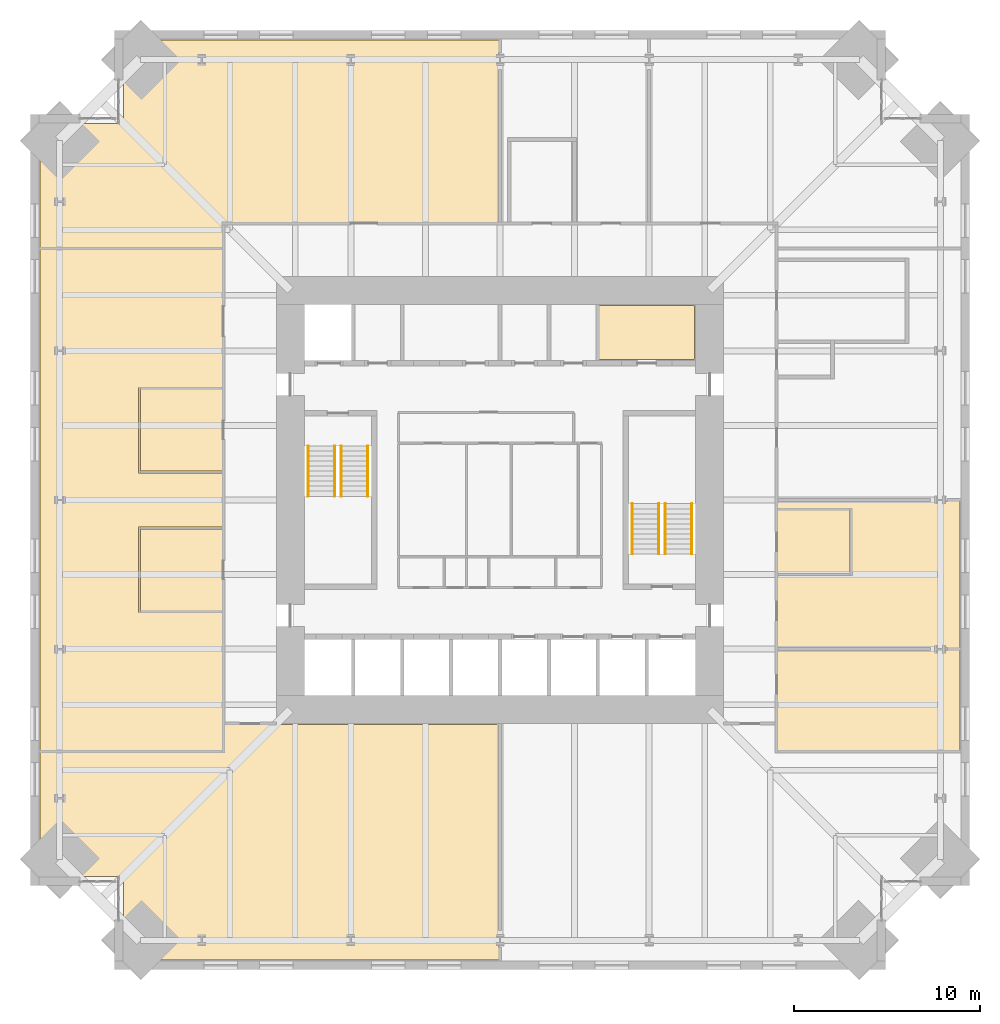
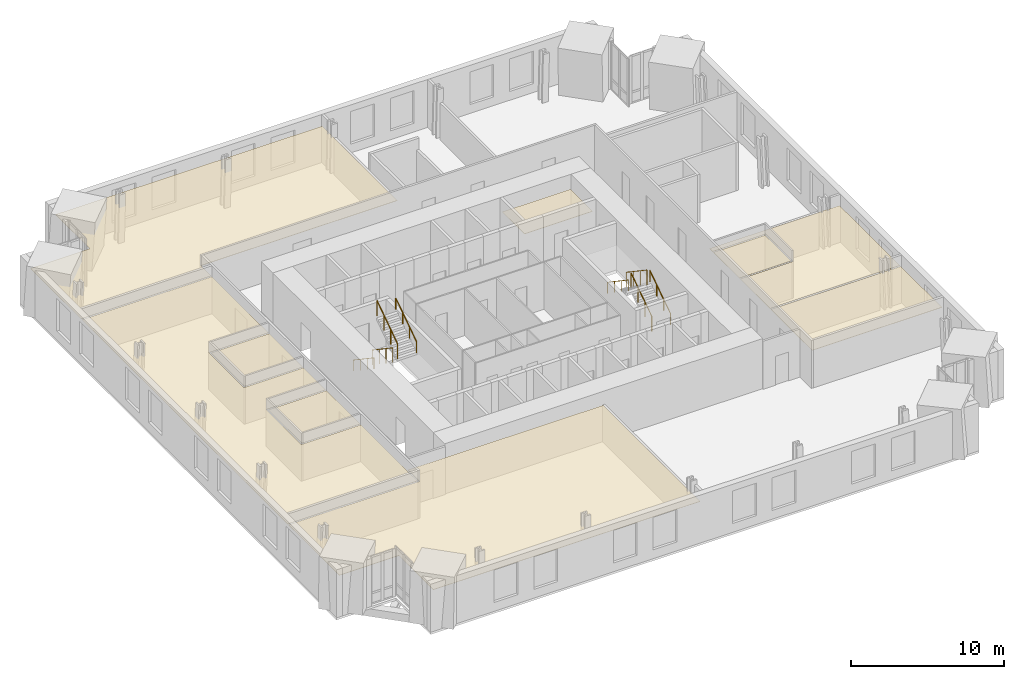
# One storey, part 15 of 15: 9 coverings, 8 railings.
"""IFC4 building model written with IfcOpenShell, lengths in metres."""

import ifcopenshell
import ifcopenshell.guid

model = None  # the IFC model being written
_history = None  # IfcOwnerHistory: only IFC2X3 demands one
_inside = {}  # id of a spatial element -> (the spatial element, [elements in it])
_under = {}  # id of a project, library or spatial element -> (it, [spatial elements below it])
_declared = {}  # id of a project -> (the project, [libraries it declares])
_typed = {}  # id of a type object -> (the type object, [elements of that type])
_made_of = {}  # id of a material, layer set ... -> (it, [elements and type objects made of it])


def new_model(schema):
    """Start an empty IFC model of exactly this schema.

    Asked for "IFC4X3", IfcOpenShell would pick the latest addendum, in which some entities
    have other attributes; the version numbers below select the first issue.
    IFC2X3 requires an IfcOwnerHistory on every rooted entity: one is made here for all.
    """
    global model, _history
    if schema == "IFC4X3":
        model = ifcopenshell.file(schema_version=(4, 3, 0, 0))
    else:
        model = ifcopenshell.file(schema=schema)
    _inside.clear()
    _under.clear()
    _declared.clear()
    _typed.clear()
    _made_of.clear()
    _history = None
    if model.schema == "IFC2X3":
        org = make("IfcOrganization", Name="unknown")
        user = make(
            "IfcPersonAndOrganization",
            ThePerson=make("IfcPerson", FamilyName="unknown"),
            TheOrganization=org,
        )
        app = make(
            "IfcApplication",
            ApplicationDeveloper=org,
            Version="unknown",
            ApplicationFullName="unknown",
            ApplicationIdentifier="unknown",
        )
        _history = make(
            "IfcOwnerHistory",
            OwningUser=user,
            OwningApplication=app,
            ChangeAction="ADDED",
            CreationDate=0,
        )
    return model


def make(cls, **values):
    """One entity of the class cls with the attributes given. An attribute that is None is left unset."""
    return model.create_entity(
        cls, **{name: value for name, value in values.items() if value is not None}
    )


def rooted(cls, **values):
    """An entity with a GlobalId (a new one), such as an element, a storey or a relation."""
    return make(cls, GlobalId=ifcopenshell.guid.new(), OwnerHistory=_history, **values)


def si_unit(unit_type, name, prefix=None):
    """IfcSIUnit, for example si_unit("LENGTHUNIT", "METRE", prefix="MILLI")."""
    return make("IfcSIUnit", UnitType=unit_type, Prefix=prefix, Name=name)


def assignment(units):
    """IfcUnitAssignment: the units of a project."""
    return None if units is None else make("IfcUnitAssignment", Units=units)


def point(xyz):
    """IfcCartesianPoint."""
    return None if xyz is None else make("IfcCartesianPoint", Coordinates=xyz)


def direction(xyz):
    """IfcDirection."""
    return None if xyz is None else make("IfcDirection", DirectionRatios=xyz)


def frame(location, z_axis=None, x_axis=None):
    """IfcAxis2Placement3D, a coordinate frame: its origin and axes. An axis left out is left unset."""
    return make(
        "IfcAxis2Placement3D",
        Location=point(location),
        Axis=direction(z_axis),
        RefDirection=direction(x_axis),
    )


def frame_2d(location, x_axis=None):
    """IfcAxis2Placement2D, a coordinate frame in the plane: its origin and x axis."""
    return make(
        "IfcAxis2Placement2D", Location=point(location), RefDirection=direction(x_axis)
    )


def origin():
    """The frame at (0, 0, 0) with its axes left unset."""
    return frame((0.0, 0.0, 0.0))


def origin_2d():
    """The frame at (0, 0) in the plane with its x axis left unset."""
    return frame_2d((0.0, 0.0))


def place(relative_to, where):
    """IfcLocalPlacement: puts the frame where relative to a parent placement (None: the world)."""
    return make(
        "IfcLocalPlacement", PlacementRelTo=relative_to, RelativePlacement=where
    )


def context(
    kind, dimensions, precision=None, world=None, true_north=None, identifier=None
):
    """IfcGeometricRepresentationContext, for example the 3D "Model" context."""
    return make(
        "IfcGeometricRepresentationContext",
        ContextIdentifier=identifier,
        ContextType=kind,
        CoordinateSpaceDimension=dimensions,
        Precision=precision,
        WorldCoordinateSystem=world,
        TrueNorth=true_north,
    )


def subcontext(parent, identifier, kind, view, scale=None):
    """IfcGeometricRepresentationSubContext, for example "Body" below "Model"."""
    return make(
        "IfcGeometricRepresentationSubContext",
        ContextIdentifier=identifier,
        ContextType=kind,
        ParentContext=parent,
        TargetScale=scale,
        TargetView=view,
    )


def project(units=None, contexts=None):
    """IfcProject with its units and contexts."""
    return rooted(
        "IfcProject",
        Name="project",
        RepresentationContexts=contexts,
        UnitsInContext=assignment(units),
    )


def spatial(cls, under=None, at=None, **own):
    """A site, building, storey or space (cls), placed at a placement, below another one or the project."""
    s = rooted(cls, ObjectPlacement=at, **own)
    if under is not None:
        _under.setdefault(under.id(), (under, []))[1].append(s)
    return s


def polyline(points):
    """IfcPolyline through the points."""
    return make("IfcPolyline", Points=[point(p) for p in points])


def profile(cls, at=None, kind="AREA", **sizes):
    """A parametric profile (cls). Its sizes go by their IFC names, for example OverallWidth=200.0."""
    return make(cls, ProfileType=kind, Position=at, **sizes)


def circle(**sizes):
    """IfcCircleProfileDef."""
    return profile("IfcCircleProfileDef", **sizes)


def outline(outer, holes=None, kind="AREA"):
    """IfcArbitraryClosedProfileDef: a profile drawn as a closed curve; with holes, ...WithVoids."""
    if holes is None:
        return make("IfcArbitraryClosedProfileDef", ProfileType=kind, OuterCurve=outer)
    return make(
        "IfcArbitraryProfileDefWithVoids",
        ProfileType=kind,
        OuterCurve=outer,
        InnerCurves=holes,
    )


def extrude(swept, where, along, depth):
    """IfcExtrudedAreaSolid: the profile swept, set in the frame where, extruded along a direction by depth."""
    return make(
        "IfcExtrudedAreaSolid",
        SweptArea=swept,
        Position=where,
        ExtrudedDirection=direction(along),
        Depth=depth,
    )


def shape(context_of_items, identifier, shape_type, items):
    """IfcShapeRepresentation: the items that make up one representation, for example the "Body"."""
    return make(
        "IfcShapeRepresentation",
        ContextOfItems=context_of_items,
        RepresentationIdentifier=identifier,
        RepresentationType=shape_type,
        Items=items,
    )


def material(Name=None, Category=None):
    """IfcMaterial."""
    return make("IfcMaterial", Name=Name, Category=Category)


def layer(
    of_material, thickness, ventilated=None, Name=None, Category=None, Priority=None
):
    """IfcMaterialLayer: one layer of a wall or slab, of a material (None: an air gap)."""
    return make(
        "IfcMaterialLayer",
        Material=of_material,
        LayerThickness=thickness,
        IsVentilated=ventilated,
        Name=Name,
        Category=Category,
        Priority=Priority,
    )


def layer_set(layers, Name=None):
    """IfcMaterialLayerSet."""
    return make("IfcMaterialLayerSet", MaterialLayers=layers, LayerSetName=Name)


def made_of(thing, what):
    """Note that an element or type object is made of a material, layer set ...; save() writes the relation."""
    if what is not None:
        _made_of.setdefault(what.id(), (what, []))[1].append(thing)
    return thing


def type_object(cls, material=None, **own):
    """A type object (cls), such as IfcWallType, which elements share."""
    return made_of(rooted(cls, **own), material)


def element(
    cls,
    number,
    at=None,
    inside=None,
    cuts=None,
    type_object=None,
    material=None,
    context=None,
    identifier="Body",
    shape_type=None,
    held_by="IfcProductDefinitionShape",
    body=None,
    shapes=None,
    **own,
):
    """One element of the class cls, such as IfcWall. Its Tag is "e" and its number.

    at: its placement. inside: the storey or other place that contains it. cuts: it is an
    opening in that element (IfcRelVoidsElement). A single representation is given by context,
    identifier, shape_type and body (its items); several are given by shapes. held_by: the class
    of the entity that holds the representations. save() writes the other relations.
    """
    e = rooted(cls, Tag="e%d" % number, ObjectPlacement=at, **own)
    if body is not None:
        shapes = [shape(context, identifier, shape_type, body)]
    if shapes is not None:
        e.Representation = make(held_by, Representations=shapes)
    if inside is not None:
        _inside.setdefault(inside.id(), (inside, []))[1].append(e)
    if cuts is not None:
        rooted(
            "IfcRelVoidsElement", RelatingBuildingElement=cuts, RelatedOpeningElement=e
        )
    if type_object is not None:
        _typed.setdefault(type_object.id(), (type_object, []))[1].append(e)
    return made_of(e, material)


def aggregate(whole, parts):
    """IfcRelAggregates: a whole, such as a stair, and the parts it consists of."""
    return rooted("IfcRelAggregates", RelatingObject=whole, RelatedObjects=parts)


def save(model, path):
    """Write the relations noted so far, then the file.

    IfcRelAggregates (storeys below a building ...), IfcRelContainedInSpatialStructure (elements
    in a storey), IfcRelDefinesByType, IfcRelAssociatesMaterial and IfcRelDeclares: one each for
    every whole, place, type object, material and project.
    """
    for whole, parts in _under.values():
        aggregate(whole, parts)
    for where, things in _inside.values():
        rooted(
            "IfcRelContainedInSpatialStructure",
            RelatedElements=things,
            RelatingStructure=where,
        )
    for kind, things in _typed.values():
        rooted("IfcRelDefinesByType", RelatedObjects=things, RelatingType=kind)
    for what, things in _made_of.values():
        rooted("IfcRelAssociatesMaterial", RelatedObjects=things, RelatingMaterial=what)
    for by, libraries in _declared.values():
        rooted("IfcRelDeclares", RelatingContext=by, RelatedDefinitions=libraries)
    model.write(path)


model = new_model("IFC4")

# Units and contexts
model_context = context("Model", 3, precision=1e-05, world=origin(), true_north=direction((0.0, 1.0)))
body_context = subcontext(model_context, "Body", "Model", "MODEL_VIEW")
ifc_project = project(units=[si_unit("LENGTHUNIT", "METRE"), si_unit("AREAUNIT", "SQUARE_METRE"), si_unit("VOLUMEUNIT", "CUBIC_METRE"), si_unit("PLANEANGLEUNIT", "RADIAN"), si_unit("MASSUNIT", "GRAM", prefix="KILO")], contexts=[model_context])

# Site, building, storey
site_placement = place(None, origin())
site = spatial("IfcSite", under=ifc_project, at=site_placement, CompositionType="ELEMENT")
building_placement = place(site_placement, origin())
building = spatial("IfcBuilding", under=site, at=building_placement, Name="Peilmerk Tower", CompositionType="ELEMENT")
storey_placement = place(building_placement, frame((0.0, 0.0, 179.800048828125)))
storey = spatial("IfcBuildingStorey", under=building, at=storey_placement, Name="L38", CompositionType="ELEMENT", Elevation=179.800048828125)

# Coverings
ifc_material_1 = material(Name="Mineral fibre ceiling tiles", Category="mineral")
ifc_layer = layer(ifc_material_1, 0.02490234375)
ifc_layer_set = layer_set([ifc_layer], Name="Mineral fibre ceiling tiles")
covering_type = type_object("IfcCoveringType", Name="CL1 25 suspended ceiling", PredefinedType="CEILING", material=ifc_layer_set)
covering_1_placement = place(storey_placement, frame((0.0, 0.0, 2.905029296875)))
element("IfcCovering", 1, at=covering_1_placement, inside=storey, type_object=covering_type, Name="Suspended ceiling Fitness room", PredefinedType="CEILING", context=body_context, shape_type="SweptSolid", body=[
    extrude(outline(polyline([(-24.699951171875, 20.199951171875), (-24.699951171875, 13.550048828125), (-14.89990234375, 13.550048828125), (-14.89990234375, 14.89990234375), (-0.050048828125, 14.89990234375), (-0.050048828125, 24.699951171875), (-20.199951171875, 24.699951171875), (-20.199951171875, 20.199951171875), (-24.699951171875, 20.199951171875)])), origin(), (0.0, 0.0, 1.0), 0.02490234375),
])
covering_2_placement = place(storey_placement, frame((0.0, 0.0, 2.905029296875)))
element("IfcCovering", 2, at=covering_2_placement, inside=storey, type_object=covering_type, Name="Suspended ceiling Library", PredefinedType="CEILING", context=body_context, shape_type="SweptSolid", body=[
    extrude(outline(polyline([(-20.199951171875, -24.699951171875), (-0.050048828125, -24.699951171875), (-0.050048828125, -12.050048828125), (-14.800048828125, -12.050048828125), (-14.800048828125, -13.550048828125), (-24.699951171875, -13.550048828125), (-24.699951171875, -20.199951171875), (-20.199951171875, -20.199951171875), (-20.199951171875, -24.699951171875)])), origin(), (0.0, 0.0, 1.0), 0.02490234375),
])
covering_3_placement = place(storey_placement, frame((0.0, 0.0, 2.905029296875)))
element("IfcCovering", 3, at=covering_3_placement, inside=storey, type_object=covering_type, Name="Suspended ceiling Wellness room", PredefinedType="CEILING", context=body_context, shape_type="SweptSolid", body=[
    extrude(outline(polyline([(24.699951171875, -13.449951171875), (24.699951171875, -8.050048828125), (14.89990234375, -8.050048828125), (14.89990234375, -13.449951171875), (24.699951171875, -13.449951171875)])), origin(), (0.0, 0.0, 1.0), 0.02490234375),
])
covering_4_placement = place(storey_placement, frame((0.0, 0.0, 2.905029296875)))
element("IfcCovering", 4, at=covering_4_placement, inside=storey, type_object=covering_type, Name="Suspended ceiling Quiet room", PredefinedType="CEILING", context=body_context, shape_type="SweptSolid", body=[
    extrude(outline(polyline([(14.89990234375, -7.949951171875), (24.699951171875, -7.949951171875), (24.699951171875, -0.050048828125), (14.89990234375, -0.050048828125), (14.89990234375, -0.449951171875), (18.89990234375, -0.449951171875), (18.89990234375, -4.050048828125), (14.89990234375, -4.050048828125), (14.89990234375, -7.949951171875)])), origin(), (0.0, 0.0, 1.0), 0.02490234375),
])
covering_5_placement = place(storey_placement, frame((0.0, 0.0, 2.905029296875)))
element("IfcCovering", 5, at=covering_5_placement, inside=storey, type_object=covering_type, Name="Suspended ceiling Pantry", PredefinedType="CEILING", context=body_context, shape_type="SweptSolid", body=[
    extrude(outline(polyline([(18.800048828125, -3.949951171875), (18.800048828125, -0.550048828125), (14.89990234375, -0.550048828125), (14.89990234375, -3.949951171875), (18.800048828125, -3.949951171875)])), origin(), (0.0, 0.0, 1.0), 0.02490234375),
])
covering_6_placement = place(storey_placement, frame((0.0, 0.0, 2.905029296875)))
element("IfcCovering", 6, at=covering_6_placement, inside=storey, type_object=covering_type, Name="Suspended ceiling Open workspace", PredefinedType="CEILING", context=body_context, shape_type="SweptSolid", body=[
    extrude(outline(polyline([(-14.89990234375, 13.449951171875), (-24.699951171875, 13.449951171875), (-24.699951171875, -13.449951171875), (-14.89990234375, -13.449951171875), (-14.89990234375, -6.050048828125), (-19.39990234375, -6.050048828125), (-19.39990234375, -1.449951171875), (-14.89990234375, -1.449951171875), (-14.89990234375, 1.449951171875), (-19.39990234375, 1.449951171875), (-19.39990234375, 6.050048828125), (-14.89990234375, 6.050048828125), (-14.89990234375, 13.449951171875)])), origin(), (0.0, 0.0, 1.0), 0.02490234375),
])
covering_7_placement = place(storey_placement, frame((0.0, 0.0, 2.905029296875)))
element("IfcCovering", 7, at=covering_7_placement, inside=storey, type_object=covering_type, Name="Suspended ceiling Meeting room", PredefinedType="CEILING", context=body_context, shape_type="SweptSolid", body=[
    extrude(outline(polyline([(-14.89990234375, -5.949951171875), (-14.89990234375, -1.550048828125), (-19.300048828125, -1.550048828125), (-19.300048828125, -5.949951171875), (-14.89990234375, -5.949951171875)])), origin(), (0.0, 0.0, 1.0), 0.02490234375),
])
covering_8_placement = place(storey_placement, frame((0.0, 0.0, 2.905029296875)))
element("IfcCovering", 8, at=covering_8_placement, inside=storey, type_object=covering_type, Name="Suspended ceiling Focus room", PredefinedType="CEILING", context=body_context, shape_type="SweptSolid", body=[
    extrude(outline(polyline([(-14.89990234375, 1.550048828125), (-14.89990234375, 5.949951171875), (-19.300048828125, 5.949951171875), (-19.300048828125, 1.550048828125), (-14.89990234375, 1.550048828125)])), origin(), (0.0, 0.0, 1.0), 0.02490234375),
])
covering_9_placement = place(storey_placement, frame((0.0, 0.0, 2.824951171875)))
element("IfcCovering", 9, at=covering_9_placement, inside=storey, type_object=covering_type, Name="Suspended ceiling Pantry", PredefinedType="CEILING", context=body_context, shape_type="SweptSolid", body=[
    extrude(outline(polyline([(10.448974609375, 7.551025390625), (10.448974609375, 10.448974609375), (5.301025390625, 10.448974609375), (5.301025390625, 7.551025390625), (10.448974609375, 7.551025390625)])), origin(), (0.0, 0.0, 1.0), 0.02490234375),
])

# Railings
ifc_material_2 = material(Name="Steel flat bar balustrade", Category="steel")
railing_type_1 = type_object("IfcRailingType", Name="GR1 1200 stair guard", PredefinedType="GUARDRAIL", material=ifc_material_2)
railing_1_placement = place(storey_placement, frame((-8.8798828125, 2.89990234375, 0.181884765625)))
element("IfcRailing", 10, at=railing_1_placement, inside=storey, type_object=railing_type_1, Name="Guard stair 1 L38", PredefinedType="GUARDRAIL", context=body_context, shape_type="SweptSolid", body=[
    extrude(circle(Radius=0.02392578125, at=origin_2d()), frame((0.0, 0.0, 1.17578125), z_axis=(0.0, -0.829468130872, 0.55855404382), x_axis=(1.0, 0.0, 0.0)), (0.0, 0.0, 1.0), 3.255126953125),
    extrude(circle(Radius=0.02099609375, at=origin_2d()), origin(), (0.0, 0.0, 1.0), 1.15185546875),
    extrude(circle(Radius=0.02099609375, at=origin_2d()), frame((0.0, -0.89990234375, 0.60595703125)), (0.0, 0.0, 1.0), 1.15185546875),
    extrude(circle(Radius=0.02099609375, at=origin_2d()), frame((0.0, -1.800048828125, 1.212158203125)), (0.0, 0.0, 1.0), 1.15185546875),
    extrude(circle(Radius=0.02099609375, at=origin_2d()), frame((0.0, -2.699951171875, 1.818115234375)), (0.0, 0.0, 1.0), 1.15185546875),
])
for number, where, name in (
    (11, (-8.52001953125, 0.199951171875, 2.181884765625), "Guard stair 1 L38"),
    (12, (8.8798828125, -2.89990234375, 0.181884765625), "Guard stair 2 L38"),
):
    element("IfcRailing", number, at=place(storey_placement, frame(where)), inside=storey, type_object=railing_type_1, Name=name, PredefinedType="GUARDRAIL", context=body_context, shape_type="SweptSolid", body=[
        extrude(circle(Radius=0.02392578125, at=origin_2d()), frame((0.0, 0.0, 1.17578125), z_axis=(0.0, 0.829468130872, 0.55855404382), x_axis=(-1.0, 0.0, 0.0)), (0.0, 0.0, 1.0), 3.255126953125),
        extrude(circle(Radius=0.02099609375, at=origin_2d()), origin(), (0.0, 0.0, 1.0), 1.15185546875),
        extrude(circle(Radius=0.02099609375, at=origin_2d()), frame((0.0, 0.89990234375, 0.60595703125)), (0.0, 0.0, 1.0), 1.15185546875),
        extrude(circle(Radius=0.02099609375, at=origin_2d()), frame((0.0, 1.800048828125, 1.212158203125)), (0.0, 0.0, 1.0), 1.15185546875),
        extrude(circle(Radius=0.02099609375, at=origin_2d()), frame((0.0, 2.699951171875, 1.818115234375)), (0.0, 0.0, 1.0), 1.15185546875),
    ])
railing_2_placement = place(storey_placement, frame((8.52001953125, -0.199951171875, 2.181884765625)))
element("IfcRailing", 13, at=railing_2_placement, inside=storey, type_object=railing_type_1, Name="Guard stair 2 L38", PredefinedType="GUARDRAIL", context=body_context, shape_type="SweptSolid", body=[
    extrude(circle(Radius=0.02392578125, at=origin_2d()), frame((0.0, 0.0, 1.17578125), z_axis=(0.0, -0.829468130872, 0.55855404382), x_axis=(1.0, 0.0, 0.0)), (0.0, 0.0, 1.0), 3.255126953125),
    extrude(circle(Radius=0.02099609375, at=origin_2d()), origin(), (0.0, 0.0, 1.0), 1.15185546875),
    extrude(circle(Radius=0.02099609375, at=origin_2d()), frame((0.0, -0.89990234375, 0.60595703125)), (0.0, 0.0, 1.0), 1.15185546875),
    extrude(circle(Radius=0.02099609375, at=origin_2d()), frame((0.0, -1.800048828125, 1.212158203125)), (0.0, 0.0, 1.0), 1.15185546875),
    extrude(circle(Radius=0.02099609375, at=origin_2d()), frame((0.0, -2.699951171875, 1.818115234375)), (0.0, 0.0, 1.0), 1.15185546875),
])
ifc_material_3 = material(Name="Stainless steel tube", Category="steel")
railing_type_2 = type_object("IfcRailingType", Name="HR1 900 stair handrail", PredefinedType="HANDRAIL", material=ifc_material_3)
railing_3_placement = place(storey_placement, frame((-10.300048828125, 2.89990234375, 0.181884765625)))
element("IfcRailing", 14, at=railing_3_placement, inside=storey, type_object=railing_type_2, Name="Handrail stair 1 L38", PredefinedType="HANDRAIL", context=body_context, shape_type="SweptSolid", body=[
    extrude(circle(Radius=0.02392578125, at=origin_2d()), frame((0.0, 0.0, 0.8759765625), z_axis=(0.0, -0.829468130872, 0.55855404382), x_axis=(1.0, 0.0, 0.0)), (0.0, 0.0, 1.0), 3.255126953125),
    extrude(circle(Radius=0.02099609375, at=origin_2d()), origin(), (0.0, 0.0, 1.0), 0.851806640625),
    extrude(circle(Radius=0.02099609375, at=origin_2d()), frame((0.0, -0.89990234375, 0.60595703125)), (0.0, 0.0, 1.0), 0.851806640625),
    extrude(circle(Radius=0.02099609375, at=origin_2d()), frame((0.0, -1.800048828125, 1.212158203125)), (0.0, 0.0, 1.0), 0.851806640625),
    extrude(circle(Radius=0.02099609375, at=origin_2d()), frame((0.0, -2.699951171875, 1.818115234375)), (0.0, 0.0, 1.0), 0.851806640625),
])
for number, where, name in (
    (15, (-7.10009765625, 0.199951171875, 2.181884765625), "Handrail stair 1 L38"),
    (16, (10.300048828125, -2.89990234375, 0.181884765625), "Handrail stair 2 L38"),
):
    element("IfcRailing", number, at=place(storey_placement, frame(where)), inside=storey, type_object=railing_type_2, Name=name, PredefinedType="HANDRAIL", context=body_context, shape_type="SweptSolid", body=[
        extrude(circle(Radius=0.02392578125, at=origin_2d()), frame((0.0, 0.0, 0.8759765625), z_axis=(0.0, 0.829468130872, 0.55855404382), x_axis=(-1.0, 0.0, 0.0)), (0.0, 0.0, 1.0), 3.255126953125),
        extrude(circle(Radius=0.02099609375, at=origin_2d()), origin(), (0.0, 0.0, 1.0), 0.851806640625),
        extrude(circle(Radius=0.02099609375, at=origin_2d()), frame((0.0, 0.89990234375, 0.60595703125)), (0.0, 0.0, 1.0), 0.851806640625),
        extrude(circle(Radius=0.02099609375, at=origin_2d()), frame((0.0, 1.800048828125, 1.212158203125)), (0.0, 0.0, 1.0), 0.851806640625),
        extrude(circle(Radius=0.02099609375, at=origin_2d()), frame((0.0, 2.699951171875, 1.818115234375)), (0.0, 0.0, 1.0), 0.851806640625),
    ])
railing_4_placement = place(storey_placement, frame((7.10009765625, -0.199951171875, 2.181884765625)))
element("IfcRailing", 17, at=railing_4_placement, inside=storey, type_object=railing_type_2, Name="Handrail stair 2 L38", PredefinedType="HANDRAIL", context=body_context, shape_type="SweptSolid", body=[
    extrude(circle(Radius=0.02392578125, at=origin_2d()), frame((0.0, 0.0, 0.8759765625), z_axis=(0.0, -0.829468130872, 0.55855404382), x_axis=(1.0, 0.0, 0.0)), (0.0, 0.0, 1.0), 3.255126953125),
    extrude(circle(Radius=0.02099609375, at=origin_2d()), origin(), (0.0, 0.0, 1.0), 0.851806640625),
    extrude(circle(Radius=0.02099609375, at=origin_2d()), frame((0.0, -0.89990234375, 0.60595703125)), (0.0, 0.0, 1.0), 0.851806640625),
    extrude(circle(Radius=0.02099609375, at=origin_2d()), frame((0.0, -1.800048828125, 1.212158203125)), (0.0, 0.0, 1.0), 0.851806640625),
    extrude(circle(Radius=0.02099609375, at=origin_2d()), frame((0.0, -2.699951171875, 1.818115234375)), (0.0, 0.0, 1.0), 0.851806640625),
])

save(model, "model.ifc")
